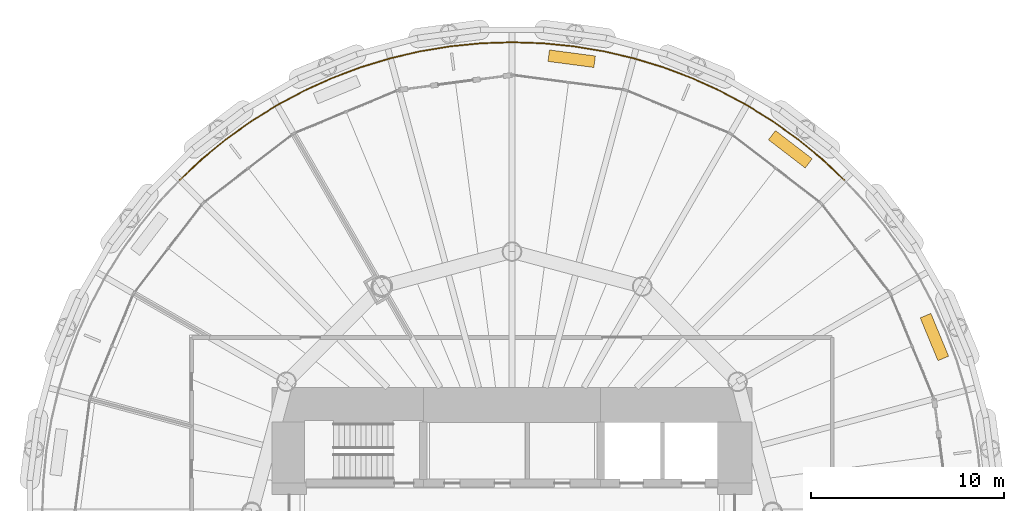
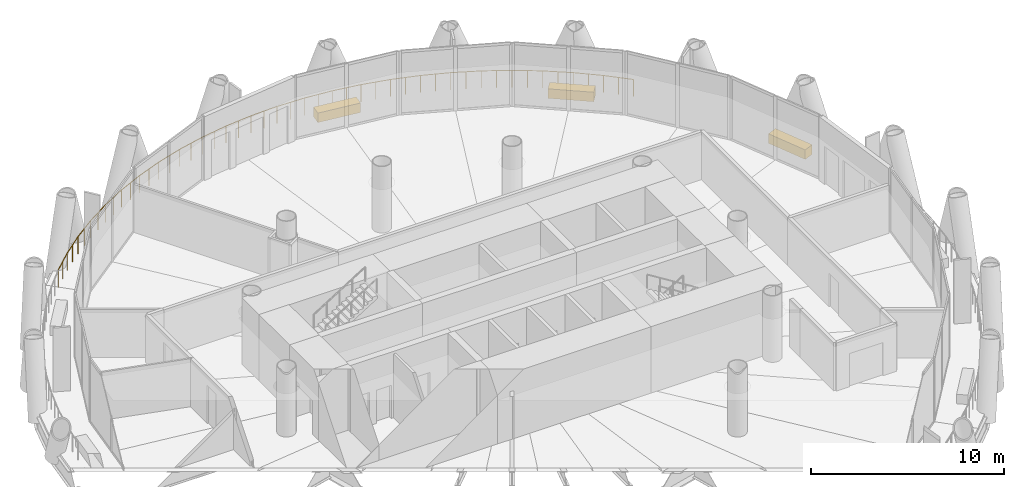
# One storey, part 15 of 15: 3 coverings, 1 railing.
"""IFC4 building model written with IfcOpenShell, lengths in metres."""

from ifc_helpers import new_model, si_unit, direction, frame, origin, origin_2d, place, context, subcontext, project, spatial, rectangle, circle, extrude, material, layer, layer_set, type_object, element, save


model = new_model("IFC4")

# Units and contexts
model_context = context("Model", 3, precision=1e-05, world=origin(), true_north=direction((0.0, 1.0)))
body_context = subcontext(model_context, "Body", "Model", "MODEL_VIEW")
ifc_project = project(units=[si_unit("LENGTHUNIT", "METRE"), si_unit("AREAUNIT", "SQUARE_METRE"), si_unit("VOLUMEUNIT", "CUBIC_METRE"), si_unit("PLANEANGLEUNIT", "RADIAN"), si_unit("MASSUNIT", "GRAM", prefix="KILO")], contexts=[model_context])

# Site, building, storey
site_placement = place(None, origin())
site = spatial("IfcSite", under=ifc_project, at=site_placement, CompositionType="ELEMENT")
building_placement = place(site_placement, origin())
building = spatial("IfcBuilding", under=site, at=building_placement, Name="Qaws Media Tower", CompositionType="ELEMENT")
storey_placement = place(building_placement, frame((0.0, 0.0, 131.0)))
storey = spatial("IfcBuildingStorey", under=building, at=storey_placement, Name="L29", CompositionType="ELEMENT", Elevation=131.0)

# Railing
ifc_material_1 = material(Name="Stainless steel and glass guard", Category="steel")
railing_type = type_object("IfcRailingType", Name="Balcony guard 1100", PredefinedType="GUARDRAIL", material=ifc_material_1)
railing_placement = place(storey_placement, frame((77.218017578125, 67.218017578125, 0.0)))
element("IfcRailing", 1, at=railing_placement, inside=storey, type_object=railing_type, Name="GR1 balcony guard L29-1", PredefinedType="GUARDRAIL", context=body_context, shape_type="SweptSolid", body=[
    extrude(circle(Radius=0.02392578125, at=origin_2d()), frame((0.0, 0.0, 1.076171875), z_axis=(-0.729790398393, 0.683670954783, 0.0), x_axis=(-0.683670954783, -0.729790398393, 0.0)), (0.0, 0.0, 1.0), 1.593505859375),
    extrude(circle(Radius=0.02392578125, at=origin_2d()), frame((-1.162841796875, 1.08935546875, 1.076171875), z_axis=(-0.773096486885, 0.634288437516, 0.0), x_axis=(-0.634288437516, -0.773096486885, 0.0)), (0.0, 0.0, 1.0), 1.593505859375),
    extrude(circle(Radius=0.02392578125, at=origin_2d()), frame((-2.394775390625, 2.10009765625, 1.076171875), z_axis=(-0.812811082119, 0.582527376855, 0.0), x_axis=(-0.582527376855, -0.812811082119, 0.0)), (0.0, 0.0, 1.0), 1.593505859375),
    extrude(circle(Radius=0.02392578125, at=origin_2d()), frame((-3.68994140625, 3.0283203125, 1.076171875), z_axis=(-0.849218470693, 0.528041654639, 0.0), x_axis=(-0.528041654639, -0.849218470693, 0.0)), (0.0, 0.0, 1.0), 1.59326171875),
    extrude(circle(Radius=0.02392578125, at=origin_2d()), frame((-5.04296875, 3.86962890625, 1.076171875), z_axis=(-0.88189872112, 0.471438909814, 0.0), x_axis=(-0.471438909814, -0.88189872112, 0.0)), (0.0, 0.0, 1.0), 1.593505859375),
    extrude(circle(Radius=0.02392578125, at=origin_2d()), frame((-6.4482421875, 4.620849609375, 1.076171875), z_axis=(-0.910843346133, 0.412752224471, 0.0), x_axis=(-0.412752224471, -0.910843346133, 0.0)), (0.0, 0.0, 1.0), 1.593505859375),
    extrude(circle(Radius=0.02392578125, at=origin_2d()), frame((-7.899658203125, 5.278564453125, 1.076171875), z_axis=(-0.935900290014, 0.352265024025, 0.0), x_axis=(-0.352265024025, -0.935900290014, 0.0)), (0.0, 0.0, 1.0), 1.59326171875),
    extrude(circle(Radius=0.02392578125, at=origin_2d()), frame((-9.390869140625, 5.83984375, 1.076171875), z_axis=(-0.956970267007, 0.290185988747, 0.0), x_axis=(-0.290185988747, -0.956970267007, 0.0)), (0.0, 0.0, 1.0), 1.593505859375),
    extrude(circle(Radius=0.02392578125, at=origin_2d()), frame((-10.915771484375, 6.30224609375, 1.076171875), z_axis=(-0.973877363549, 0.227074614975, 0.0), x_axis=(-0.227074614975, -0.973877363549, 0.0)), (0.0, 0.0, 1.0), 1.59326171875),
    extrude(circle(Radius=0.02392578125, at=origin_2d()), frame((-12.467529296875, 6.6640625, 1.076171875), z_axis=(-0.986649445432, 0.162858441071, 0.0), x_axis=(-0.162858441071, -0.986649445432, 0.0)), (0.0, 0.0, 1.0), 1.593505859375),
    extrude(circle(Radius=0.02392578125, at=origin_2d()), frame((-14.039794921875, 6.923583984375, 1.076171875), z_axis=(-0.99518026669, 0.09806241273, 0.0), x_axis=(-0.09806241273, -0.99518026669, 0.0)), (0.0, 0.0, 1.0), 1.59326171875),
    extrude(circle(Radius=0.02392578125, at=origin_2d()), frame((-15.62548828125, 7.079833984375, 1.076171875), z_axis=(-0.9994622847, 0.032789349828, 0.0), x_axis=(-0.032789349828, -0.9994622847, 0.0)), (0.0, 0.0, 1.0), 1.593505859375),
    extrude(circle(Radius=0.02392578125, at=origin_2d()), frame((-17.218017578125, 7.132080078125, 1.076171875), z_axis=(-0.9994622847, -0.032789349828, 0.0), x_axis=(0.032789349828, -0.9994622847, 0.0)), (0.0, 0.0, 1.0), 1.593505859375),
    extrude(circle(Radius=0.02392578125, at=origin_2d()), frame((-18.810546875, 7.079833984375, 1.076171875), z_axis=(-0.99518026669, -0.09806241273, 0.0), x_axis=(0.09806241273, -0.99518026669, 0.0)), (0.0, 0.0, 1.0), 1.59326171875),
    extrude(circle(Radius=0.02392578125, at=origin_2d()), frame((-20.396240234375, 6.923583984375, 1.076171875), z_axis=(-0.986649445432, -0.162858441071, 0.0), x_axis=(0.162858441071, -0.986649445432, 0.0)), (0.0, 0.0, 1.0), 1.593505859375),
    extrude(circle(Radius=0.02392578125, at=origin_2d()), frame((-21.968505859375, 6.6640625, 1.076171875), z_axis=(-0.973877363549, -0.227074614975, 0.0), x_axis=(0.227074614975, -0.973877363549, 0.0)), (0.0, 0.0, 1.0), 1.59326171875),
    extrude(circle(Radius=0.02392578125, at=origin_2d()), frame((-23.520263671875, 6.30224609375, 1.076171875), z_axis=(-0.956970267007, -0.290185988747, 0.0), x_axis=(0.290185988747, -0.956970267007, 0.0)), (0.0, 0.0, 1.0), 1.593505859375),
    extrude(circle(Radius=0.02392578125, at=origin_2d()), frame((-25.045166015625, 5.83984375, 1.076171875), z_axis=(-0.935900290014, -0.352265024025, 0.0), x_axis=(0.352265024025, -0.935900290014, 0.0)), (0.0, 0.0, 1.0), 1.59326171875),
    extrude(circle(Radius=0.02392578125, at=origin_2d()), frame((-26.536376953125, 5.278564453125, 1.076171875), z_axis=(-0.910843346133, -0.412752224471, 0.0), x_axis=(0.412752224471, -0.910843346133, 0.0)), (0.0, 0.0, 1.0), 1.593505859375),
    extrude(circle(Radius=0.02392578125, at=origin_2d()), frame((-27.98779296875, 4.620849609375, 1.076171875), z_axis=(-0.88189872112, -0.471438909814, 0.0), x_axis=(0.471438909814, -0.88189872112, 0.0)), (0.0, 0.0, 1.0), 1.593505859375),
    extrude(circle(Radius=0.02392578125, at=origin_2d()), frame((-29.39306640625, 3.86962890625, 1.076171875), z_axis=(-0.849218470693, -0.528041654639, 0.0), x_axis=(0.528041654639, -0.849218470693, 0.0)), (0.0, 0.0, 1.0), 1.59326171875),
    extrude(circle(Radius=0.02392578125, at=origin_2d()), frame((-30.74609375, 3.0283203125, 1.076171875), z_axis=(-0.812811082119, -0.582527376855, 0.0), x_axis=(0.582527376855, -0.812811082119, 0.0)), (0.0, 0.0, 1.0), 1.593505859375),
    extrude(circle(Radius=0.02392578125, at=origin_2d()), frame((-32.041259765625, 2.10009765625, 1.076171875), z_axis=(-0.773096486885, -0.634288437516, 0.0), x_axis=(0.634288437516, -0.773096486885, 0.0)), (0.0, 0.0, 1.0), 1.593505859375),
    extrude(circle(Radius=0.02392578125, at=origin_2d()), frame((-33.273193359375, 1.08935546875, 1.076171875), z_axis=(-0.729790398393, -0.683670954783, 0.0), x_axis=(0.683670954783, -0.729790398393, 0.0)), (0.0, 0.0, 1.0), 1.593505859375),
    extrude(circle(Radius=0.02099609375, at=origin_2d()), origin(), (0.0, 0.0, 1.0), 1.052001953125),
    extrude(circle(Radius=0.02099609375, at=origin_2d()), frame((-0.58154296875, 0.544677734375, 0.0)), (0.0, 0.0, 1.0), 1.052001953125),
    extrude(circle(Radius=0.02099609375, at=origin_2d()), frame((-1.162841796875, 1.08935546875, 0.0)), (0.0, 0.0, 1.0), 1.052001953125),
    extrude(circle(Radius=0.02099609375, at=origin_2d()), frame((-1.77880859375, 1.5947265625, 0.0)), (0.0, 0.0, 1.0), 1.052001953125),
    extrude(circle(Radius=0.02099609375, at=origin_2d()), frame((-2.394775390625, 2.10009765625, 0.0)), (0.0, 0.0, 1.0), 1.052001953125),
    extrude(circle(Radius=0.02099609375, at=origin_2d()), frame((-3.04248046875, 2.564208984375, 0.0)), (0.0, 0.0, 1.0), 1.052001953125),
    extrude(circle(Radius=0.02099609375, at=origin_2d()), frame((-3.68994140625, 3.0283203125, 0.0)), (0.0, 0.0, 1.0), 1.052001953125),
    extrude(circle(Radius=0.02099609375, at=origin_2d()), frame((-4.366455078125, 3.448974609375, 0.0)), (0.0, 0.0, 1.0), 1.052001953125),
    extrude(circle(Radius=0.02099609375, at=origin_2d()), frame((-5.04296875, 3.86962890625, 0.0)), (0.0, 0.0, 1.0), 1.052001953125),
    extrude(circle(Radius=0.02099609375, at=origin_2d()), frame((-5.74560546875, 4.2451171875, 0.0)), (0.0, 0.0, 1.0), 1.052001953125),
    extrude(circle(Radius=0.02099609375, at=origin_2d()), frame((-6.4482421875, 4.620849609375, 0.0)), (0.0, 0.0, 1.0), 1.052001953125),
    extrude(circle(Radius=0.02099609375, at=origin_2d()), frame((-7.173828125, 4.94970703125, 0.0)), (0.0, 0.0, 1.0), 1.052001953125),
    extrude(circle(Radius=0.02099609375, at=origin_2d()), frame((-7.899658203125, 5.278564453125, 0.0)), (0.0, 0.0, 1.0), 1.052001953125),
    extrude(circle(Radius=0.02099609375, at=origin_2d()), frame((-8.645263671875, 5.55908203125, 0.0)), (0.0, 0.0, 1.0), 1.052001953125),
    extrude(circle(Radius=0.02099609375, at=origin_2d()), frame((-9.390869140625, 5.83984375, 0.0)), (0.0, 0.0, 1.0), 1.052001953125),
    extrude(circle(Radius=0.02099609375, at=origin_2d()), frame((-10.1533203125, 6.071044921875, 0.0)), (0.0, 0.0, 1.0), 1.052001953125),
    extrude(circle(Radius=0.02099609375, at=origin_2d()), frame((-10.915771484375, 6.30224609375, 0.0)), (0.0, 0.0, 1.0), 1.052001953125),
    extrude(circle(Radius=0.02099609375, at=origin_2d()), frame((-11.691650390625, 6.483154296875, 0.0)), (0.0, 0.0, 1.0), 1.052001953125),
    extrude(circle(Radius=0.02099609375, at=origin_2d()), frame((-12.467529296875, 6.6640625, 0.0)), (0.0, 0.0, 1.0), 1.052001953125),
    extrude(circle(Radius=0.02099609375, at=origin_2d()), frame((-13.253662109375, 6.7939453125, 0.0)), (0.0, 0.0, 1.0), 1.052001953125),
    extrude(circle(Radius=0.02099609375, at=origin_2d()), frame((-14.039794921875, 6.923583984375, 0.0)), (0.0, 0.0, 1.0), 1.052001953125),
    extrude(circle(Radius=0.02099609375, at=origin_2d()), frame((-14.83251953125, 7.001708984375, 0.0)), (0.0, 0.0, 1.0), 1.052001953125),
    extrude(circle(Radius=0.02099609375, at=origin_2d()), frame((-15.62548828125, 7.079833984375, 0.0)), (0.0, 0.0, 1.0), 1.052001953125),
    extrude(circle(Radius=0.02099609375, at=origin_2d()), frame((-16.421875, 7.10595703125, 0.0)), (0.0, 0.0, 1.0), 1.052001953125),
    extrude(circle(Radius=0.02099609375, at=origin_2d()), frame((-17.218017578125, 7.132080078125, 0.0)), (0.0, 0.0, 1.0), 1.052001953125),
    extrude(circle(Radius=0.02099609375, at=origin_2d()), frame((-18.01416015625, 7.10595703125, 0.0)), (0.0, 0.0, 1.0), 1.052001953125),
    extrude(circle(Radius=0.02099609375, at=origin_2d()), frame((-18.810546875, 7.079833984375, 0.0)), (0.0, 0.0, 1.0), 1.052001953125),
    extrude(circle(Radius=0.02099609375, at=origin_2d()), frame((-19.603515625, 7.001708984375, 0.0)), (0.0, 0.0, 1.0), 1.052001953125),
    extrude(circle(Radius=0.02099609375, at=origin_2d()), frame((-20.396240234375, 6.923583984375, 0.0)), (0.0, 0.0, 1.0), 1.052001953125),
    extrude(circle(Radius=0.02099609375, at=origin_2d()), frame((-21.182373046875, 6.7939453125, 0.0)), (0.0, 0.0, 1.0), 1.052001953125),
    extrude(circle(Radius=0.02099609375, at=origin_2d()), frame((-21.968505859375, 6.6640625, 0.0)), (0.0, 0.0, 1.0), 1.052001953125),
    extrude(circle(Radius=0.02099609375, at=origin_2d()), frame((-22.744384765625, 6.483154296875, 0.0)), (0.0, 0.0, 1.0), 1.052001953125),
    extrude(circle(Radius=0.02099609375, at=origin_2d()), frame((-23.520263671875, 6.30224609375, 0.0)), (0.0, 0.0, 1.0), 1.052001953125),
    extrude(circle(Radius=0.02099609375, at=origin_2d()), frame((-24.28271484375, 6.071044921875, 0.0)), (0.0, 0.0, 1.0), 1.052001953125),
    extrude(circle(Radius=0.02099609375, at=origin_2d()), frame((-25.045166015625, 5.83984375, 0.0)), (0.0, 0.0, 1.0), 1.052001953125),
    extrude(circle(Radius=0.02099609375, at=origin_2d()), frame((-25.790771484375, 5.55908203125, 0.0)), (0.0, 0.0, 1.0), 1.052001953125),
    extrude(circle(Radius=0.02099609375, at=origin_2d()), frame((-26.536376953125, 5.278564453125, 0.0)), (0.0, 0.0, 1.0), 1.052001953125),
    extrude(circle(Radius=0.02099609375, at=origin_2d()), frame((-27.26220703125, 4.94970703125, 0.0)), (0.0, 0.0, 1.0), 1.052001953125),
    extrude(circle(Radius=0.02099609375, at=origin_2d()), frame((-27.98779296875, 4.620849609375, 0.0)), (0.0, 0.0, 1.0), 1.052001953125),
    extrude(circle(Radius=0.02099609375, at=origin_2d()), frame((-28.6904296875, 4.2451171875, 0.0)), (0.0, 0.0, 1.0), 1.052001953125),
    extrude(circle(Radius=0.02099609375, at=origin_2d()), frame((-29.39306640625, 3.86962890625, 0.0)), (0.0, 0.0, 1.0), 1.052001953125),
    extrude(circle(Radius=0.02099609375, at=origin_2d()), frame((-30.069580078125, 3.448974609375, 0.0)), (0.0, 0.0, 1.0), 1.052001953125),
    extrude(circle(Radius=0.02099609375, at=origin_2d()), frame((-30.74609375, 3.0283203125, 0.0)), (0.0, 0.0, 1.0), 1.052001953125),
    extrude(circle(Radius=0.02099609375, at=origin_2d()), frame((-31.3935546875, 2.564208984375, 0.0)), (0.0, 0.0, 1.0), 1.052001953125),
    extrude(circle(Radius=0.02099609375, at=origin_2d()), frame((-32.041259765625, 2.10009765625, 0.0)), (0.0, 0.0, 1.0), 1.052001953125),
    extrude(circle(Radius=0.02099609375, at=origin_2d()), frame((-32.6572265625, 1.5947265625, 0.0)), (0.0, 0.0, 1.0), 1.052001953125),
    extrude(circle(Radius=0.02099609375, at=origin_2d()), frame((-33.273193359375, 1.08935546875, 0.0)), (0.0, 0.0, 1.0), 1.052001953125),
    extrude(circle(Radius=0.02099609375, at=origin_2d()), frame((-33.8544921875, 0.544677734375, 0.0)), (0.0, 0.0, 1.0), 1.052001953125),
    extrude(circle(Radius=0.02099609375, at=origin_2d()), frame((-34.43603515625, 0.0, 0.0)), (0.0, 0.0, 1.0), 1.052001953125),
])

# Coverings
ifc_material_2 = material(Name="Precast concrete planter with trailing planting", Category="concrete")
ifc_layer = layer(ifc_material_2, 0.60009765625)
ifc_layer_set = layer_set([ifc_layer], Name="Planter 2400x600")
covering_type = type_object("IfcCoveringType", Name="Planter 2400x600", PredefinedType="USERDEFINED", material=ifc_layer_set)
for number, where, z_axis, x_axis, name in (
    (2, (81.89599609375, 59.069580078125, 0.0), (0.0, 0.0, 1.0), (-0.382683432365, 0.923879532511, 0.0), "PL1 balcony planter L29-01"),
    (3, (74.427734375, 68.802490234375, 0.0), (0.0, 0.0, 1.0), (-0.793353340291, 0.608761429009, 0.0), "PL1 balcony planter L29-02"),
    (4, (63.093505859375, 73.497314453125, 0.0), (0.0, 0.0, 1.0), (-0.991444861374, 0.13052619222, 0.0), "PL1 balcony planter L29-03"),
):
    element("IfcCovering", number, at=place(storey_placement, frame(where, z_axis=z_axis, x_axis=x_axis)), inside=storey, type_object=covering_type, Name=name, ObjectType="PLANTER", PredefinedType="USERDEFINED", context=body_context, shape_type="SweptSolid", body=[
        extrude(rectangle(XDim=2.39990234375, YDim=0.60009765625, at=origin_2d()), origin(), (0.0, 0.0, 1.0), 0.60009765625),
    ])

save(model, "model.ifc")
